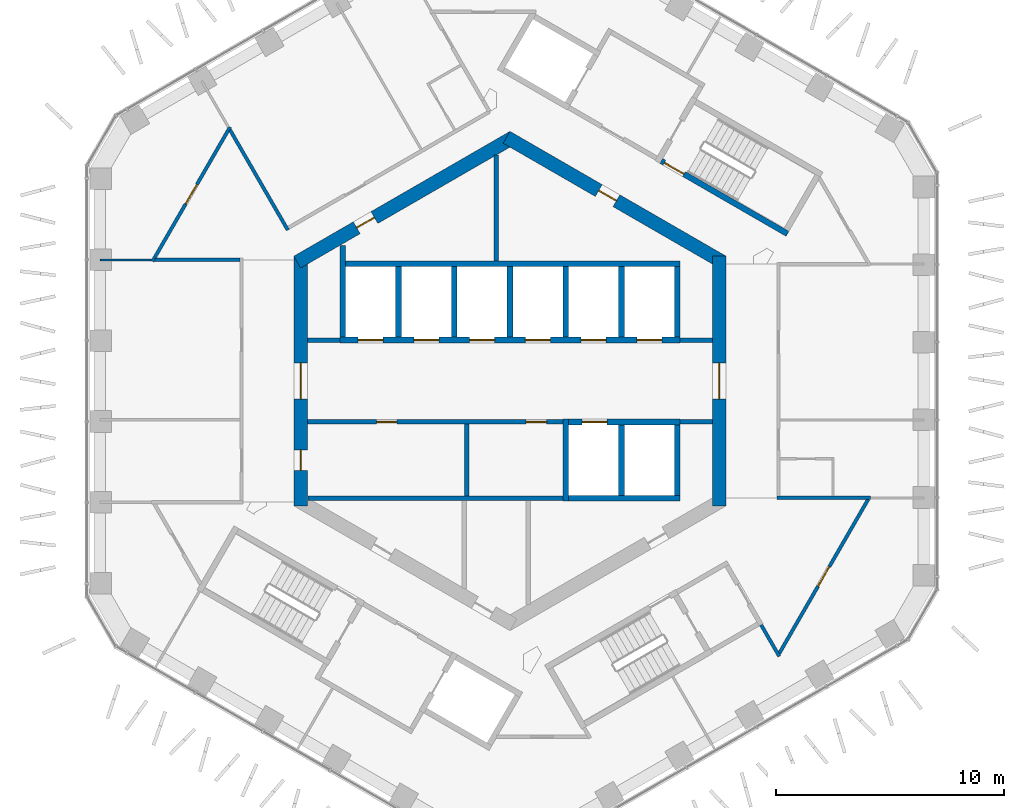
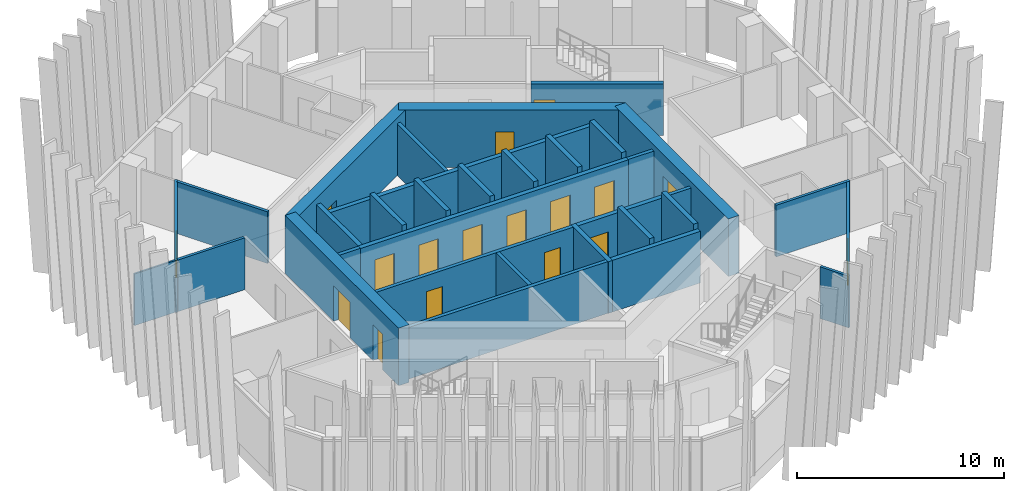
# One storey, part 14 of 20: 33 walls, 17 doors, 17 openings.
"""IFC4 building model written with IfcOpenShell, lengths in metres."""

from ifc_helpers import new_model, si_unit, direction, frame, frame_2d, origin, place, context, subcontext, project, spatial, rectangle, extrude, material, layer, layer_set, type_object, element, fill, save


model = new_model("IFC4")

# Units and contexts
model_context = context("Model", 3, precision=1e-05, world=origin(), true_north=direction((0.0, 1.0)))
body_context = subcontext(model_context, "Body", "Model", "MODEL_VIEW")
ifc_project = project(units=[si_unit("LENGTHUNIT", "METRE"), si_unit("AREAUNIT", "SQUARE_METRE"), si_unit("VOLUMEUNIT", "CUBIC_METRE"), si_unit("PLANEANGLEUNIT", "RADIAN"), si_unit("MASSUNIT", "GRAM", prefix="KILO")], contexts=[model_context])

# Site, building, storey
site_placement = place(None, origin())
site = spatial("IfcSite", under=ifc_project, at=site_placement, CompositionType="ELEMENT")
building_placement = place(site_placement, origin())
building = spatial("IfcBuilding", under=site, at=building_placement, Name="Ayvan Gate Tower", CompositionType="ELEMENT")
storey_placement = place(building_placement, frame((0.0, 0.0, 162.89990234375)))
storey = spatial("IfcBuildingStorey", under=building, at=storey_placement, Name="L43", CompositionType="ELEMENT", Elevation=162.89990234375)

# Wall, opening, door
ifc_material_1 = material(Name="Concrete C60/75", Category="concrete")
ifc_layer_1 = layer(ifc_material_1, 0.60009765625)
ifc_layer_set_1 = layer_set([ifc_layer_1], Name="Concrete C60/75")
wall_type_1 = type_object("IfcWallType", Name="Core wall 600 C60/75", PredefinedType="SHEAR", material=ifc_layer_set_1)
wall_1_placement = place(storey_placement, frame((9.199951171875, -5.48486328125, 0.0), z_axis=(0.0, 0.0, 1.0), x_axis=(0.0, 1.0, 0.0)))
wall_1 = element("IfcWall", 1, at=wall_1_placement, inside=storey, type_object=wall_type_1, Name="CORE-L43-0", PredefinedType="SHEAR", context=body_context, shape_type="SweptSolid", body=[
    extrude(rectangle(XDim=10.9697265625, YDim=0.60009765625, at=frame_2d((5.48486328125, 0.0))), origin(), (0.0, 0.0, 1.0), 3.400146484375),
])
opening_1_placement = place(wall_1_placement, frame((4.684814453125, 0.0, 0.0)))
opening_1 = element("IfcOpeningElement", 2, at=opening_1_placement, cuts=wall_1, Name="Opening L43-D42", PredefinedType="OPENING", context=body_context, shape_type="SweptSolid", body=[
    extrude(rectangle(XDim=1.60009765625, YDim=2.10009765625, at=frame_2d((0.800048828125, 1.050048828125))), frame((0.0, 0.31005859375, 0.0), z_axis=(0.0, -1.0, 0.0), x_axis=(1.0, 0.0, 0.0)), (0.0, 0.0, 1.0), 0.6201171875),
])
ifc_material_2 = material(Name="Timber door leaf", Category="wood")
door_type_1 = type_object("IfcDoorType", Name="DT-1600", OperationType="NOTDEFINED", PredefinedType="DOOR", material=ifc_material_2)
door_1_placement = place(opening_1_placement, origin())
door_1 = element("IfcDoor", 3, at=door_1_placement, inside=storey, type_object=door_type_1, Name="CD-L43-42", OperationType="SINGLE_SWING_LEFT", OverallHeight=2.10009765625, OverallWidth=1.60009765625, PredefinedType="DOOR", context=body_context, shape_type="SweptSolid", body=[
    extrude(rectangle(XDim=1.60009765625, YDim=2.10009765625, at=frame_2d((0.800048828125, 1.050048828125))), frame((0.0, 0.02490234375, 0.0), z_axis=(0.0, -1.0, 0.0), x_axis=(1.0, 0.0, 0.0)), (0.0, 0.0, 1.0), 0.050048828125),
])
fill(opening_1, door_1)

wall_2_placement = place(storey_placement, frame((9.35009765625, 5.22509765625, 0.0), z_axis=(0.0, 0.0, 1.0), x_axis=(-0.866023993627, 0.500002442456, 0.0)))
wall_2 = element("IfcWall", 4, at=wall_2_placement, inside=storey, type_object=wall_type_1, Name="CORE-L43-1", PredefinedType="SHEAR", context=body_context, shape_type="SweptSolid", body=[
    extrude(rectangle(XDim=10.9697265625, YDim=0.60009765625, at=frame_2d((5.48486328125, 0.0))), origin(), (0.0, 0.0, 1.0), 3.400146484375),
])
opening_2_placement = place(wall_2_placement, frame((5.393310546875, 0.0, 0.0)))
opening_2 = element("IfcOpeningElement", 5, at=opening_2_placement, cuts=wall_2, Name="Opening L43-D37", PredefinedType="OPENING", context=body_context, shape_type="SweptSolid", body=[
    extrude(rectangle(XDim=0.89990234375, YDim=2.10009765625, at=frame_2d((0.449951171875, 1.050048828125))), frame((0.0, 0.31005859375, 0.0), z_axis=(0.0, -1.0, 0.0), x_axis=(1.0, 0.0, 0.0)), (0.0, 0.0, 1.0), 0.6201171875),
])
door_type_2 = type_object("IfcDoorType", Name="DT-900", OperationType="NOTDEFINED", PredefinedType="DOOR", material=ifc_material_2)
door_2_placement = place(opening_2_placement, origin())
door_2 = element("IfcDoor", 6, at=door_2_placement, inside=storey, type_object=door_type_2, Name="CD-L43-37", OperationType="SINGLE_SWING_RIGHT", OverallHeight=2.10009765625, OverallWidth=0.89990234375, PredefinedType="DOOR", context=body_context, shape_type="SweptSolid", body=[
    extrude(rectangle(XDim=0.89990234375, YDim=2.10009765625, at=frame_2d((0.449951171875, 1.050048828125))), frame((0.0, 0.02490234375, 0.0), z_axis=(0.0, -1.0, 0.0), x_axis=(1.0, 0.0, 0.0)), (0.0, 0.0, 1.0), 0.050048828125),
])
fill(opening_2, door_2)

wall_3_placement = place(storey_placement, frame((0.14990234375, 10.7099609375, 0.0), z_axis=(0.0, 0.0, 1.0), x_axis=(-0.866023993627, -0.500002442456, 0.0)))
wall_3 = element("IfcWall", 7, at=wall_3_placement, inside=storey, type_object=wall_type_1, Name="CORE-L43-2", PredefinedType="SHEAR", context=body_context, shape_type="SweptSolid", body=[
    extrude(rectangle(XDim=10.9697265625, YDim=0.60009765625, at=frame_2d((5.48486328125, 0.0))), origin(), (0.0, 0.0, 1.0), 3.400146484375),
])
opening_3_placement = place(wall_3_placement, frame((7.05029296875, 0.0, 0.0)))
opening_3 = element("IfcOpeningElement", 8, at=opening_3_placement, cuts=wall_3, Name="Opening L43-D36", PredefinedType="OPENING", context=body_context, shape_type="SweptSolid", body=[
    extrude(rectangle(XDim=0.89990234375, YDim=2.10009765625, at=frame_2d((0.449951171875, 1.050048828125))), frame((0.0, 0.31005859375, 0.0), z_axis=(0.0, -1.0, 0.0), x_axis=(1.0, 0.0, 0.0)), (0.0, 0.0, 1.0), 0.6201171875),
])
door_3_placement = place(opening_3_placement, origin())
door_3 = element("IfcDoor", 9, at=door_3_placement, inside=storey, type_object=door_type_2, Name="CD-L43-36", OperationType="SINGLE_SWING_LEFT", OverallHeight=2.10009765625, OverallWidth=0.89990234375, PredefinedType="DOOR", context=body_context, shape_type="SweptSolid", body=[
    extrude(rectangle(XDim=0.89990234375, YDim=2.10009765625, at=frame_2d((0.449951171875, 1.050048828125))), frame((0.0, 0.02490234375, 0.0), z_axis=(0.0, -1.0, 0.0), x_axis=(1.0, 0.0, 0.0)), (0.0, 0.0, 1.0), 0.050048828125),
])
fill(opening_3, door_3)

# Wall, openings, doors
wall_4_placement = place(storey_placement, frame((-9.199951171875, 5.48486328125, 0.0), z_axis=(0.0, 0.0, 1.0), x_axis=(0.0, -1.0, 0.0)))
wall_4 = element("IfcWall", 10, at=wall_4_placement, inside=storey, type_object=wall_type_1, Name="CORE-L43-3", PredefinedType="SHEAR", context=body_context, shape_type="SweptSolid", body=[
    extrude(rectangle(XDim=10.9697265625, YDim=0.60009765625, at=frame_2d((5.48486328125, 0.0))), origin(), (0.0, 0.0, 1.0), 3.400146484375),
])
opening_4_placement = place(wall_4_placement, frame((8.51611328125, 0.0, 0.0)))
opening_4 = element("IfcOpeningElement", 11, at=opening_4_placement, cuts=wall_4, Name="Opening L43-D41", PredefinedType="OPENING", context=body_context, shape_type="SweptSolid", body=[
    extrude(rectangle(XDim=0.89990234375, YDim=2.10009765625, at=frame_2d((0.449951171875, 1.050048828125))), frame((0.0, 0.31005859375, 0.0), z_axis=(0.0, -1.0, 0.0), x_axis=(1.0, 0.0, 0.0)), (0.0, 0.0, 1.0), 0.6201171875),
])
opening_5_placement = place(wall_4_placement, frame((4.684814453125, 0.0, 0.0)))
opening_5 = element("IfcOpeningElement", 12, at=opening_5_placement, cuts=wall_4, Name="Opening L43-D43", PredefinedType="OPENING", context=body_context, shape_type="SweptSolid", body=[
    extrude(rectangle(XDim=1.60009765625, YDim=2.10009765625, at=frame_2d((0.800048828125, 1.050048828125))), frame((0.0, 0.31005859375, 0.0), z_axis=(0.0, -1.0, 0.0), x_axis=(1.0, 0.0, 0.0)), (0.0, 0.0, 1.0), 0.6201171875),
])
door_4_placement = place(opening_5_placement, origin())
door_4 = element("IfcDoor", 13, at=door_4_placement, inside=storey, type_object=door_type_1, Name="CD-L43-43", OperationType="SINGLE_SWING_RIGHT", OverallHeight=2.10009765625, OverallWidth=1.60009765625, PredefinedType="DOOR", context=body_context, shape_type="SweptSolid", body=[
    extrude(rectangle(XDim=1.60009765625, YDim=2.10009765625, at=frame_2d((0.800048828125, 1.050048828125))), frame((0.0, 0.02490234375, 0.0), z_axis=(0.0, -1.0, 0.0), x_axis=(1.0, 0.0, 0.0)), (0.0, 0.0, 1.0), 0.050048828125),
])
fill(opening_5, door_4)
door_5_placement = place(opening_4_placement, origin())
door_5 = element("IfcDoor", 14, at=door_5_placement, inside=storey, type_object=door_type_2, Name="CD-L43-41", OperationType="SINGLE_SWING_RIGHT", OverallHeight=2.10009765625, OverallWidth=0.89990234375, PredefinedType="DOOR", context=body_context, shape_type="SweptSolid", body=[
    extrude(rectangle(XDim=0.89990234375, YDim=2.10009765625, at=frame_2d((0.449951171875, 1.050048828125))), frame((0.0, 0.02490234375, 0.0), z_axis=(0.0, -1.0, 0.0), x_axis=(1.0, 0.0, 0.0)), (0.0, 0.0, 1.0), 0.050048828125),
])
fill(opening_4, door_5)

# Wall, opening, door
ifc_material_3 = material(Name="Plasterboard on steel stud", Category="steel")
ifc_layer_2 = layer(ifc_material_3, 0.14990234375)
ifc_layer_set_2 = layer_set([ifc_layer_2], Name="Plasterboard on steel stud")
wall_type_2 = type_object("IfcWallType", Name="WT-CORR-150", PredefinedType="PARTITIONING", material=ifc_layer_set_2)
wall_5_placement = place(storey_placement, frame((-15.708984375, 5.257568359375, 0.0), z_axis=(0.0, 0.0, 1.0), x_axis=(0.500006657701, 0.866021559925, 0.0)))
wall_5 = element("IfcWall", 15, at=wall_5_placement, inside=storey, type_object=wall_type_2, Name="IW-L43-001", PredefinedType="PARTITIONING", context=body_context, shape_type="SweptSolid", body=[
    extrude(rectangle(XDim=6.81640625, YDim=0.14990234375, at=frame_2d((3.408203125, 0.0))), origin(), (0.0, 0.0, 1.0), 3.050048828125),
])
opening_6_placement = place(wall_5_placement, frame((2.908203125, 0.0, 0.0)))
opening_6 = element("IfcOpeningElement", 16, at=opening_6_placement, cuts=wall_5, Name="Opening L43-D26", PredefinedType="OPENING", context=body_context, shape_type="SweptSolid", body=[
    extrude(rectangle(XDim=1.0, YDim=2.10009765625, at=frame_2d((0.5, 1.050048828125))), frame((0.0, 0.0849609375, 0.0), z_axis=(0.0, -1.0, 0.0), x_axis=(1.0, 0.0, 0.0)), (0.0, 0.0, 1.0), 0.169921875),
])
door_type_3 = type_object("IfcDoorType", Name="DT-1000", OperationType="NOTDEFINED", PredefinedType="DOOR", material=ifc_material_2)
door_6_placement = place(opening_6_placement, origin())
door_6 = element("IfcDoor", 17, at=door_6_placement, inside=storey, type_object=door_type_3, Name="ID-L43-026", OperationType="SINGLE_SWING_LEFT", OverallHeight=2.10009765625, OverallWidth=1.0, PredefinedType="DOOR", context=body_context, shape_type="SweptSolid", body=[
    extrude(rectangle(XDim=1.0, YDim=2.10009765625, at=frame_2d((0.5, 1.050048828125))), frame((0.0, 0.02490234375, 0.0), z_axis=(0.0, -1.0, 0.0), x_axis=(1.0, 0.0, 0.0)), (0.0, 0.0, 1.0), 0.050048828125),
])
fill(opening_6, door_6)

# Walls
wall_6_placement = place(storey_placement, frame((-12.30078125, 11.03076171875, 0.0), z_axis=(0.0, 0.0, 1.0), x_axis=(0.499986018985, -0.866033475577, 0.0)))
element("IfcWall", 18, at=wall_6_placement, inside=storey, type_object=wall_type_2, Name="IW-L43-008", PredefinedType="PARTITIONING", context=body_context, shape_type="SweptSolid", body=[
    extrude(rectangle(XDim=5.078369140625, YDim=0.14990234375, at=frame_2d((2.5390625, 0.0))), origin(), (0.0, 0.0, 1.0), 3.050048828125),
])
wall_7_placement = place(storey_placement, frame((-11.875, 5.322509765625, 0.0), z_axis=(0.0, 0.0, 1.0), x_axis=(-1.0, 0.0, 0.0)))
element("IfcWall", 19, at=wall_7_placement, inside=storey, type_object=wall_type_2, Name="IW-L43-012", PredefinedType="PARTITIONING", context=body_context, shape_type="SweptSolid", body=[
    extrude(rectangle(XDim=3.721435546875, YDim=0.14990234375, at=frame_2d((1.86083984375, 0.0))), origin(), (0.0, 0.0, 1.0), 3.050048828125),
])
wall_8_placement = place(storey_placement, frame((11.834716796875, -12.09814453125, 0.0), z_axis=(0.0, 0.0, 1.0), x_axis=(-0.499991908467, 0.866030075383, 0.0)))
element("IfcWall", 20, at=wall_8_placement, inside=storey, type_object=wall_type_2, Name="IW-L43-077", PredefinedType="PARTITIONING", context=body_context, shape_type="SweptSolid", body=[
    extrude(rectangle(XDim=1.5947265625, YDim=0.14990234375, at=frame_2d((0.79736328125, 0.0))), origin(), (0.0, 0.0, 1.0), 3.050048828125),
])
wall_9_placement = place(storey_placement, frame((11.724853515625, -5.137451171875, 0.0), z_axis=(0.0, 0.0, 1.0), x_axis=(1.0, 0.0, 0.0)))
element("IfcWall", 21, at=wall_9_placement, inside=storey, type_object=wall_type_2, Name="IW-L43-078", PredefinedType="PARTITIONING", context=body_context, shape_type="SweptSolid", body=[
    extrude(rectangle(XDim=4.12841796875, YDim=0.14990234375, at=frame_2d((2.064208984375, 0.0))), origin(), (0.0, 0.0, 1.0), 3.050048828125),
])

# Wall, opening, door
wall_10_placement = place(storey_placement, frame((15.74072265625, -5.202392578125, 0.0), z_axis=(0.0, 0.0, 1.0), x_axis=(-0.499974030515, -0.866040396754, 0.0)))
wall_10 = element("IfcWall", 22, at=wall_10_placement, inside=storey, type_object=wall_type_2, Name="IW-L43-087", PredefinedType="PARTITIONING", context=body_context, shape_type="SweptSolid", body=[
    extrude(rectangle(XDim=7.8125, YDim=0.14990234375, at=frame_2d((3.90625, 0.0))), origin(), (0.0, 0.0, 1.0), 3.050048828125),
])
opening_7_placement = place(wall_10_placement, frame((3.40625, 0.0, 0.0)))
opening_7 = element("IfcOpeningElement", 23, at=opening_7_placement, cuts=wall_10, Name="Opening L43-D32", PredefinedType="OPENING", context=body_context, shape_type="SweptSolid", body=[
    extrude(rectangle(XDim=1.0, YDim=2.10009765625, at=frame_2d((0.5, 1.050048828125))), frame((0.0, 0.0849609375, 0.0), z_axis=(0.0, -1.0, 0.0), x_axis=(1.0, 0.0, 0.0)), (0.0, 0.0, 1.0), 0.169921875),
])
door_7_placement = place(opening_7_placement, origin())
door_7 = element("IfcDoor", 24, at=door_7_placement, inside=storey, type_object=door_type_3, Name="ID-L43-032", OperationType="SINGLE_SWING_LEFT", OverallHeight=2.10009765625, OverallWidth=1.0, PredefinedType="DOOR", context=body_context, shape_type="SweptSolid", body=[
    extrude(rectangle(XDim=1.0, YDim=2.10009765625, at=frame_2d((0.5, 1.050048828125))), frame((0.0, 0.02490234375, 0.0), z_axis=(0.0, -1.0, 0.0), x_axis=(1.0, 0.0, 0.0)), (0.0, 0.0, 1.0), 0.050048828125),
])
fill(opening_7, door_7)

# Walls
ifc_layer_3 = layer(ifc_material_3, 0.10009765625)
ifc_layer_set_3 = layer_set([ifc_layer_3], Name="Plasterboard on steel stud")
wall_type_3 = type_object("IfcWallType", Name="WT-PART-100", PredefinedType="PARTITIONING", material=ifc_layer_set_3)
wall_11_placement = place(storey_placement, frame((-15.74658203125, 5.322509765625, 0.0), z_axis=(0.0, 0.0, 1.0), x_axis=(-1.0, 0.0, 0.0)))
element("IfcWall", 25, at=wall_11_placement, inside=storey, type_object=wall_type_3, Name="IW-L43-000", PredefinedType="PARTITIONING", context=body_context, shape_type="SweptSolid", body=[
    extrude(rectangle(XDim=2.261962890625, YDim=0.10009765625, at=frame_2d((1.130859375, 0.0))), origin(), (0.0, 0.0, 1.0), 3.050048828125),
])
ifc_layer_4 = layer(ifc_material_3, 0.199951171875)
ifc_layer_set_4 = layer_set([ifc_layer_4], Name="Plasterboard on steel stud")
wall_type_4 = type_object("IfcWallType", Name="WT-RATED-200", PredefinedType="PARTITIONING", material=ifc_layer_set_4)
wall_12_placement = place(storey_placement, frame((-8.89990234375, 1.800048828125, 0.0), z_axis=(0.0, 0.0, 1.0), x_axis=(1.0, 0.0, 0.0)))
element("IfcWall", 26, at=wall_12_placement, inside=storey, type_object=wall_type_4, Name="IW-L43-014", PredefinedType="PARTITIONING", context=body_context, shape_type="SweptSolid", body=[
    extrude(rectangle(XDim=1.425048828125, YDim=0.199951171875, at=frame_2d((0.71240234375, 0.0))), origin(), (0.0, 0.0, 1.0), 3.050048828125),
])
wall_13_placement = place(storey_placement, frame((-8.8798828125, -5.14990234375, 0.0), z_axis=(0.0, 0.0, 1.0), x_axis=(1.0, 0.0, 0.0)))
element("IfcWall", 27, at=wall_13_placement, inside=storey, type_object=wall_type_4, Name="IW-L43-015", PredefinedType="PARTITIONING", context=body_context, shape_type="SweptSolid", body=[
    extrude(rectangle(XDim=11.205078125, YDim=0.199951171875, at=frame_2d((5.6025390625, 0.0))), origin(), (0.0, 0.0, 1.0), 3.050048828125),
])
wall_14_placement = place(storey_placement, frame((-1.89990234375, -1.89990234375, 0.0), z_axis=(0.0, 0.0, 1.0), x_axis=(0.0, -1.0, 0.0)))
element("IfcWall", 28, at=wall_14_placement, inside=storey, type_object=wall_type_4, Name="IW-L43-037", PredefinedType="PARTITIONING", context=body_context, shape_type="SweptSolid", body=[
    extrude(rectangle(XDim=3.150146484375, YDim=0.199951171875, at=frame_2d((1.5751953125, 0.0))), origin(), (0.0, 0.0, 1.0), 3.050048828125),
])

# Wall, openings, doors
wall_15_placement = place(storey_placement, frame((-8.89990234375, -1.800048828125, 0.0), z_axis=(0.0, 0.0, 1.0), x_axis=(1.0, 0.0, 0.0)))
wall_15 = element("IfcWall", 29, at=wall_15_placement, inside=storey, type_object=wall_type_4, Name="IW-L43-038", PredefinedType="PARTITIONING", context=body_context, shape_type="SweptSolid", body=[
    extrude(rectangle(XDim=11.22509765625, YDim=0.199951171875, at=frame_2d((5.612548828125, 0.0))), origin(), (0.0, 0.0, 1.0), 3.050048828125),
])
opening_8_placement = place(wall_15_placement, frame((3.034912109375, 0.0, 0.0)))
opening_8 = element("IfcOpeningElement", 30, at=opening_8_placement, cuts=wall_15, Name="Opening L43-D08", PredefinedType="OPENING", context=body_context, shape_type="SweptSolid", body=[
    extrude(rectangle(XDim=0.89990234375, YDim=2.10009765625, at=frame_2d((0.449951171875, 1.050048828125))), frame((0.0, 0.10986328125, 0.0), z_axis=(0.0, -1.0, 0.0), x_axis=(1.0, 0.0, 0.0)), (0.0, 0.0, 1.0), 0.219970703125),
])
opening_9_placement = place(wall_15_placement, frame((9.612548828125, 0.0, 0.0)))
opening_9 = element("IfcOpeningElement", 31, at=opening_9_placement, cuts=wall_15, Name="Opening L43-D09", PredefinedType="OPENING", context=body_context, shape_type="SweptSolid", body=[
    extrude(rectangle(XDim=0.89990234375, YDim=2.10009765625, at=frame_2d((0.449951171875, 1.050048828125))), frame((0.0, 0.10986328125, 0.0), z_axis=(0.0, -1.0, 0.0), x_axis=(1.0, 0.0, 0.0)), (0.0, 0.0, 1.0), 0.219970703125),
])
door_8_placement = place(opening_8_placement, origin())
door_8 = element("IfcDoor", 32, at=door_8_placement, inside=storey, type_object=door_type_2, Name="ID-L43-008", OperationType="SINGLE_SWING_LEFT", OverallHeight=2.10009765625, OverallWidth=0.89990234375, PredefinedType="DOOR", context=body_context, shape_type="SweptSolid", body=[
    extrude(rectangle(XDim=0.89990234375, YDim=2.10009765625, at=frame_2d((0.449951171875, 1.050048828125))), frame((0.0, 0.02490234375, 0.0), z_axis=(0.0, -1.0, 0.0), x_axis=(1.0, 0.0, 0.0)), (0.0, 0.0, 1.0), 0.050048828125),
])
fill(opening_8, door_8)
door_9_placement = place(opening_9_placement, origin())
door_9 = element("IfcDoor", 33, at=door_9_placement, inside=storey, type_object=door_type_2, Name="ID-L43-009", OperationType="SINGLE_SWING_RIGHT", OverallHeight=2.10009765625, OverallWidth=0.89990234375, PredefinedType="DOOR", context=body_context, shape_type="SweptSolid", body=[
    extrude(rectangle(XDim=0.89990234375, YDim=2.10009765625, at=frame_2d((0.449951171875, 1.050048828125))), frame((0.0, 0.02490234375, 0.0), z_axis=(0.0, -1.0, 0.0), x_axis=(1.0, 0.0, 0.0)), (0.0, 0.0, 1.0), 0.050048828125),
])
fill(opening_9, door_9)

# Walls
wall_16_placement = place(storey_placement, frame((-0.60009765625, 9.930419921875, 0.0), z_axis=(0.0, 0.0, 1.0), x_axis=(0.0, -1.0, 0.0)))
element("IfcWall", 34, at=wall_16_placement, inside=storey, type_object=wall_type_4, Name="IW-L43-042", PredefinedType="PARTITIONING", context=body_context, shape_type="SweptSolid", body=[
    extrude(rectangle(XDim=4.655517578125, YDim=0.199951171875, at=frame_2d((2.32763671875, 0.0))), origin(), (0.0, 0.0, 1.0), 3.050048828125),
])
for number, where, z_axis, x_axis, name in (
    (35, (7.474853515625, 1.800048828125, 0.0), (0.0, 0.0, 1.0), (1.0, 0.0, 0.0), "IW-L43-068"),
    (36, (8.89990234375, -1.800048828125, 0.0), (0.0, 0.0, 1.0), (-1.0, 0.0, 0.0), "IW-L43-074"),
):
    element("IfcWall", number, at=place(storey_placement, frame(where, z_axis=z_axis, x_axis=x_axis)), inside=storey, type_object=wall_type_4, Name=name, PredefinedType="PARTITIONING", context=body_context, shape_type="SweptSolid", body=[
        extrude(rectangle(XDim=1.425048828125, YDim=0.199951171875, at=frame_2d((0.71240234375, 0.0))), origin(), (0.0, 0.0, 1.0), 3.050048828125),
    ])

# Wall, openings, doors
ifc_material_4 = material(Name="Concrete C50/60", Category="concrete")
ifc_layer_5 = layer(ifc_material_4, 0.25)
ifc_layer_set_5 = layer_set([ifc_layer_5], Name="Concrete C50/60")
wall_type_5 = type_object("IfcWallType", Name="WT-RC-250", PredefinedType="SHEAR", material=ifc_layer_set_5)
wall_17_placement = place(storey_placement, frame((-7.47509765625, 1.800048828125, 0.0), z_axis=(0.0, 0.0, 1.0), x_axis=(1.0, 0.0, 0.0)))
wall_17 = element("IfcWall", 37, at=wall_17_placement, inside=storey, type_object=wall_type_5, Name="IW-L43-020", PredefinedType="SHEAR", context=body_context, shape_type="SweptSolid", body=[
    extrude(rectangle(XDim=14.9501953125, YDim=0.25, at=frame_2d((7.47509765625, 0.0))), origin(), (0.0, 0.0, 1.0), 3.050048828125),
])
opening_10_placement = place(wall_17_placement, frame((0.800048828125, 0.0, 0.0)))
opening_10 = element("IfcOpeningElement", 38, at=opening_10_placement, cuts=wall_17, Name="Opening L43-LD-HR1", PredefinedType="OPENING", context=body_context, shape_type="SweptSolid", body=[
    extrude(rectangle(XDim=1.10009765625, YDim=2.10009765625, at=frame_2d((0.550048828125, 1.050048828125))), frame((0.0, 0.135009765625, 0.0), z_axis=(0.0, -1.0, 0.0), x_axis=(1.0, 0.0, 0.0)), (0.0, 0.0, 1.0), 0.27001953125),
])
opening_11_placement = place(wall_17_placement, frame((3.25, 0.0, 0.0)))
opening_11 = element("IfcOpeningElement", 39, at=opening_11_placement, cuts=wall_17, Name="Opening L43-LD-HR2", PredefinedType="OPENING", context=body_context, shape_type="SweptSolid", body=[
    extrude(rectangle(XDim=1.10009765625, YDim=2.10009765625, at=frame_2d((0.550048828125, 1.050048828125))), frame((0.0, 0.135009765625, 0.0), z_axis=(0.0, -1.0, 0.0), x_axis=(1.0, 0.0, 0.0)), (0.0, 0.0, 1.0), 0.27001953125),
])
opening_12_placement = place(wall_17_placement, frame((5.7001953125, 0.0, 0.0)))
opening_12 = element("IfcOpeningElement", 40, at=opening_12_placement, cuts=wall_17, Name="Opening L43-LD-HR3", PredefinedType="OPENING", context=body_context, shape_type="SweptSolid", body=[
    extrude(rectangle(XDim=1.10009765625, YDim=2.10009765625, at=frame_2d((0.550048828125, 1.050048828125))), frame((0.0, 0.135009765625, 0.0), z_axis=(0.0, -1.0, 0.0), x_axis=(1.0, 0.0, 0.0)), (0.0, 0.0, 1.0), 0.27001953125),
])
opening_13_placement = place(wall_17_placement, frame((8.150146484375, 0.0, 0.0)))
opening_13 = element("IfcOpeningElement", 41, at=opening_13_placement, cuts=wall_17, Name="Opening L43-LD-HR4", PredefinedType="OPENING", context=body_context, shape_type="SweptSolid", body=[
    extrude(rectangle(XDim=1.10009765625, YDim=2.10009765625, at=frame_2d((0.550048828125, 1.050048828125))), frame((0.0, 0.135009765625, 0.0), z_axis=(0.0, -1.0, 0.0), x_axis=(1.0, 0.0, 0.0)), (0.0, 0.0, 1.0), 0.27001953125),
])
opening_14_placement = place(wall_17_placement, frame((10.60009765625, 0.0, 0.0)))
opening_14 = element("IfcOpeningElement", 42, at=opening_14_placement, cuts=wall_17, Name="Opening L43-LD-HR5", PredefinedType="OPENING", context=body_context, shape_type="SweptSolid", body=[
    extrude(rectangle(XDim=1.10009765625, YDim=2.10009765625, at=frame_2d((0.550048828125, 1.050048828125))), frame((0.0, 0.135009765625, 0.0), z_axis=(0.0, -1.0, 0.0), x_axis=(1.0, 0.0, 0.0)), (0.0, 0.0, 1.0), 0.27001953125),
])
opening_15_placement = place(wall_17_placement, frame((13.050048828125, 0.0, 0.0)))
opening_15 = element("IfcOpeningElement", 43, at=opening_15_placement, cuts=wall_17, Name="Opening L43-LD-HR6", PredefinedType="OPENING", context=body_context, shape_type="SweptSolid", body=[
    extrude(rectangle(XDim=1.10009765625, YDim=2.10009765625, at=frame_2d((0.550048828125, 1.050048828125))), frame((0.0, 0.135009765625, 0.0), z_axis=(0.0, -1.0, 0.0), x_axis=(1.0, 0.0, 0.0)), (0.0, 0.0, 1.0), 0.27001953125),
])
ifc_material_5 = material(Name="Stainless steel landing door", Category="steel")
door_type_4 = type_object("IfcDoorType", Name="DT-LANDING-1100", OperationType="SLIDING_TO_LEFT", PredefinedType="DOOR", material=ifc_material_5)
door_10_placement = place(opening_10_placement, origin())
door_10 = element("IfcDoor", 44, at=door_10_placement, inside=storey, type_object=door_type_4, Name="ID-L43-001", OperationType="SLIDING_TO_LEFT", OverallHeight=2.10009765625, OverallWidth=1.10009765625, PredefinedType="DOOR", context=body_context, shape_type="SweptSolid", body=[
    extrude(rectangle(XDim=1.10009765625, YDim=2.10009765625, at=frame_2d((0.550048828125, 1.050048828125))), frame((0.0, 0.02490234375, 0.0), z_axis=(0.0, -1.0, 0.0), x_axis=(1.0, 0.0, 0.0)), (0.0, 0.0, 1.0), 0.050048828125),
])
fill(opening_10, door_10)
door_11_placement = place(opening_11_placement, origin())
door_11 = element("IfcDoor", 45, at=door_11_placement, inside=storey, type_object=door_type_4, Name="ID-L43-002", OperationType="SLIDING_TO_LEFT", OverallHeight=2.10009765625, OverallWidth=1.10009765625, PredefinedType="DOOR", context=body_context, shape_type="SweptSolid", body=[
    extrude(rectangle(XDim=1.10009765625, YDim=2.10009765625, at=frame_2d((0.550048828125, 1.050048828125))), frame((0.0, 0.02490234375, 0.0), z_axis=(0.0, -1.0, 0.0), x_axis=(1.0, 0.0, 0.0)), (0.0, 0.0, 1.0), 0.050048828125),
])
fill(opening_11, door_11)
door_12_placement = place(opening_12_placement, origin())
door_12 = element("IfcDoor", 46, at=door_12_placement, inside=storey, type_object=door_type_4, Name="ID-L43-003", OperationType="SLIDING_TO_LEFT", OverallHeight=2.10009765625, OverallWidth=1.10009765625, PredefinedType="DOOR", context=body_context, shape_type="SweptSolid", body=[
    extrude(rectangle(XDim=1.10009765625, YDim=2.10009765625, at=frame_2d((0.550048828125, 1.050048828125))), frame((0.0, 0.02490234375, 0.0), z_axis=(0.0, -1.0, 0.0), x_axis=(1.0, 0.0, 0.0)), (0.0, 0.0, 1.0), 0.050048828125),
])
fill(opening_12, door_12)
door_13_placement = place(opening_13_placement, origin())
door_13 = element("IfcDoor", 47, at=door_13_placement, inside=storey, type_object=door_type_4, Name="ID-L43-004", OperationType="SLIDING_TO_LEFT", OverallHeight=2.10009765625, OverallWidth=1.10009765625, PredefinedType="DOOR", context=body_context, shape_type="SweptSolid", body=[
    extrude(rectangle(XDim=1.10009765625, YDim=2.10009765625, at=frame_2d((0.550048828125, 1.050048828125))), frame((0.0, 0.02490234375, 0.0), z_axis=(0.0, -1.0, 0.0), x_axis=(1.0, 0.0, 0.0)), (0.0, 0.0, 1.0), 0.050048828125),
])
fill(opening_13, door_13)
door_14_placement = place(opening_14_placement, origin())
door_14 = element("IfcDoor", 48, at=door_14_placement, inside=storey, type_object=door_type_4, Name="ID-L43-005", OperationType="SLIDING_TO_LEFT", OverallHeight=2.10009765625, OverallWidth=1.10009765625, PredefinedType="DOOR", context=body_context, shape_type="SweptSolid", body=[
    extrude(rectangle(XDim=1.10009765625, YDim=2.10009765625, at=frame_2d((0.550048828125, 1.050048828125))), frame((0.0, 0.02490234375, 0.0), z_axis=(0.0, -1.0, 0.0), x_axis=(1.0, 0.0, 0.0)), (0.0, 0.0, 1.0), 0.050048828125),
])
fill(opening_14, door_14)
door_15_placement = place(opening_15_placement, origin())
door_15 = element("IfcDoor", 49, at=door_15_placement, inside=storey, type_object=door_type_4, Name="ID-L43-006", OperationType="SLIDING_TO_LEFT", OverallHeight=2.10009765625, OverallWidth=1.10009765625, PredefinedType="DOOR", context=body_context, shape_type="SweptSolid", body=[
    extrude(rectangle(XDim=1.10009765625, YDim=2.10009765625, at=frame_2d((0.550048828125, 1.050048828125))), frame((0.0, 0.02490234375, 0.0), z_axis=(0.0, -1.0, 0.0), x_axis=(1.0, 0.0, 0.0)), (0.0, 0.0, 1.0), 0.050048828125),
])
fill(opening_15, door_15)

# Walls
wall_18_placement = place(storey_placement, frame((-7.35009765625, 1.925048828125, 0.0), z_axis=(0.0, 0.0, 1.0), x_axis=(0.0, 1.0, 0.0)))
element("IfcWall", 50, at=wall_18_placement, inside=storey, type_object=wall_type_5, Name="IW-L43-021", PredefinedType="SHEAR", context=body_context, shape_type="SweptSolid", body=[
    extrude(rectangle(XDim=4.0361328125, YDim=0.25, at=frame_2d((2.01806640625, 0.0))), origin(), (0.0, 0.0, 1.0), 3.050048828125),
])
wall_19_placement = place(storey_placement, frame((-7.22509765625, 5.14990234375, 0.0), z_axis=(0.0, 0.0, 1.0), x_axis=(1.0, 0.0, 0.0)))
element("IfcWall", 51, at=wall_19_placement, inside=storey, type_object=wall_type_5, Name="IW-L43-022", PredefinedType="SHEAR", context=body_context, shape_type="SweptSolid", body=[
    extrude(rectangle(XDim=14.7001953125, YDim=0.25, at=frame_2d((7.35009765625, 0.0))), origin(), (0.0, 0.0, 1.0), 3.050048828125),
])
for number, where, z_axis, x_axis, name in (
    (52, (-4.89990234375, 5.02490234375, 0.0), (0.0, 0.0, 1.0), (0.0, -1.0, 0.0), "IW-L43-025"),
    (53, (-2.449951171875, 5.02490234375, 0.0), (0.0, 0.0, 1.0), (0.0, -1.0, 0.0), "IW-L43-033"),
    (54, (0.0, 5.02490234375, 0.0), (0.0, 0.0, 1.0), (0.0, -1.0, 0.0), "IW-L43-044"),
):
    element("IfcWall", number, at=place(storey_placement, frame(where, z_axis=z_axis, x_axis=x_axis)), inside=storey, type_object=wall_type_5, Name=name, PredefinedType="SHEAR", context=body_context, shape_type="SweptSolid", body=[
        extrude(rectangle(XDim=3.099853515625, YDim=0.25, at=frame_2d((1.5498046875, 0.0))), origin(), (0.0, 0.0, 1.0), 3.400146484375),
    ])
wall_20_placement = place(storey_placement, frame((2.449951171875, -5.27490234375, 0.0), z_axis=(0.0, 0.0, 1.0), x_axis=(0.0, 1.0, 0.0)))
element("IfcWall", 55, at=wall_20_placement, inside=storey, type_object=wall_type_5, Name="IW-L43-049", PredefinedType="SHEAR", context=body_context, shape_type="SweptSolid", body=[
    extrude(rectangle(XDim=3.599853515625, YDim=0.25, at=frame_2d((1.7998046875, 0.0))), origin(), (0.0, 0.0, 1.0), 3.050048828125),
])
wall_21_placement = place(storey_placement, frame((2.449951171875, 5.02490234375, 0.0), z_axis=(0.0, 0.0, 1.0), x_axis=(0.0, -1.0, 0.0)))
element("IfcWall", 56, at=wall_21_placement, inside=storey, type_object=wall_type_5, Name="IW-L43-050", PredefinedType="SHEAR", context=body_context, shape_type="SweptSolid", body=[
    extrude(rectangle(XDim=3.099853515625, YDim=0.25, at=frame_2d((1.5498046875, 0.0))), origin(), (0.0, 0.0, 1.0), 3.400146484375),
])
wall_22_placement = place(storey_placement, frame((2.574951171875, -5.14990234375, 0.0), z_axis=(0.0, 0.0, 1.0), x_axis=(1.0, 0.0, 0.0)))
element("IfcWall", 57, at=wall_22_placement, inside=storey, type_object=wall_type_5, Name="IW-L43-058", PredefinedType="SHEAR", context=body_context, shape_type="SweptSolid", body=[
    extrude(rectangle(XDim=4.900146484375, YDim=0.25, at=frame_2d((2.4501953125, 0.0))), origin(), (0.0, 0.0, 1.0), 3.050048828125),
])
for number, where, z_axis, x_axis, name in (
    (58, (4.89990234375, -1.925048828125, 0.0), (0.0, 0.0, 1.0), (0.0, -1.0, 0.0), "IW-L43-059"),
    (59, (4.89990234375, 5.02490234375, 0.0), (0.0, 0.0, 1.0), (0.0, -1.0, 0.0), "IW-L43-060"),
):
    element("IfcWall", number, at=place(storey_placement, frame(where, z_axis=z_axis, x_axis=x_axis)), inside=storey, type_object=wall_type_5, Name=name, PredefinedType="SHEAR", context=body_context, shape_type="SweptSolid", body=[
        extrude(rectangle(XDim=3.099853515625, YDim=0.25, at=frame_2d((1.5498046875, 0.0))), origin(), (0.0, 0.0, 1.0), 3.400146484375),
    ])

# Wall, opening, door
wall_23_placement = place(storey_placement, frame((2.574951171875, -1.800048828125, 0.0), z_axis=(0.0, 0.0, 1.0), x_axis=(1.0, 0.0, 0.0)))
wall_23 = element("IfcWall", 60, at=wall_23_placement, inside=storey, type_object=wall_type_5, Name="IW-L43-061", PredefinedType="SHEAR", context=body_context, shape_type="SweptSolid", body=[
    extrude(rectangle(XDim=4.900146484375, YDim=0.25, at=frame_2d((2.4501953125, 0.0))), origin(), (0.0, 0.0, 1.0), 3.050048828125),
])
opening_16_placement = place(wall_23_placement, frame((0.597412109375, 0.0, 0.0)))
opening_16 = element("IfcOpeningElement", 61, at=opening_16_placement, cuts=wall_23, Name="Opening L43-LD-SV", PredefinedType="OPENING", context=body_context, shape_type="SweptSolid", body=[
    extrude(rectangle(XDim=1.10009765625, YDim=2.10009765625, at=frame_2d((0.550048828125, 1.050048828125))), frame((0.0, 0.135009765625, 0.0), z_axis=(0.0, -1.0, 0.0), x_axis=(1.0, 0.0, 0.0)), (0.0, 0.0, 1.0), 0.27001953125),
])
door_16_placement = place(opening_16_placement, origin())
door_16 = element("IfcDoor", 62, at=door_16_placement, inside=storey, type_object=door_type_4, Name="ID-L43-007", OperationType="SLIDING_TO_LEFT", OverallHeight=2.10009765625, OverallWidth=1.10009765625, PredefinedType="DOOR", context=body_context, shape_type="SweptSolid", body=[
    extrude(rectangle(XDim=1.10009765625, YDim=2.10009765625, at=frame_2d((0.550048828125, 1.050048828125))), frame((0.0, 0.02490234375, 0.0), z_axis=(0.0, -1.0, 0.0), x_axis=(1.0, 0.0, 0.0)), (0.0, 0.0, 1.0), 0.050048828125),
])
fill(opening_16, door_16)

# Walls
for number, where, z_axis, x_axis, name in (
    (63, (7.35009765625, -1.925048828125, 0.0), (0.0, 0.0, 1.0), (0.0, -1.0, 0.0), "IW-L43-069"),
    (64, (7.35009765625, 5.02490234375, 0.0), (0.0, 0.0, 1.0), (0.0, -1.0, 0.0), "IW-L43-070"),
):
    element("IfcWall", number, at=place(storey_placement, frame(where, z_axis=z_axis, x_axis=x_axis)), inside=storey, type_object=wall_type_5, Name=name, PredefinedType="SHEAR", context=body_context, shape_type="SweptSolid", body=[
        extrude(rectangle(XDim=3.099853515625, YDim=0.25, at=frame_2d((1.5498046875, 0.0))), origin(), (0.0, 0.0, 1.0), 3.400146484375),
    ])

# Wall, opening, door
wall_24_placement = place(storey_placement, frame((12.193603515625, 6.469970703125, 0.0), z_axis=(0.0, 0.0, 1.0), x_axis=(-0.866025499775, 0.499999833739, 0.0)))
wall_24 = element("IfcWall", 65, at=wall_24_placement, inside=storey, type_object=wall_type_5, Name="IW-L43-081", PredefinedType="SHEAR", context=body_context, shape_type="SweptSolid", body=[
    extrude(rectangle(XDim=6.39990234375, YDim=0.25, at=frame_2d((3.199951171875, 0.0))), origin(), (0.0, 0.0, 1.0), 3.050048828125),
])
opening_17_placement = place(wall_24_placement, frame((5.25, 0.0, 0.0)))
opening_17 = element("IfcOpeningElement", 66, at=opening_17_placement, cuts=wall_24, Name="Opening L43-D10", PredefinedType="OPENING", context=body_context, shape_type="SweptSolid", body=[
    extrude(rectangle(XDim=1.0, YDim=2.10009765625, at=frame_2d((0.5, 1.050048828125))), frame((0.0, 0.135009765625, 0.0), z_axis=(0.0, -1.0, 0.0), x_axis=(1.0, 0.0, 0.0)), (0.0, 0.0, 1.0), 0.27001953125),
])
door_17_placement = place(opening_17_placement, origin())
door_17 = element("IfcDoor", 67, at=door_17_placement, inside=storey, type_object=door_type_3, Name="ID-L43-010", OperationType="SINGLE_SWING_LEFT", OverallHeight=2.10009765625, OverallWidth=1.0, PredefinedType="DOOR", context=body_context, shape_type="SweptSolid", body=[
    extrude(rectangle(XDim=1.0, YDim=2.10009765625, at=frame_2d((0.5, 1.050048828125))), frame((0.0, 0.02490234375, 0.0), z_axis=(0.0, -1.0, 0.0), x_axis=(1.0, 0.0, 0.0)), (0.0, 0.0, 1.0), 0.050048828125),
])
fill(opening_17, door_17)

save(model, "model.ifc")
